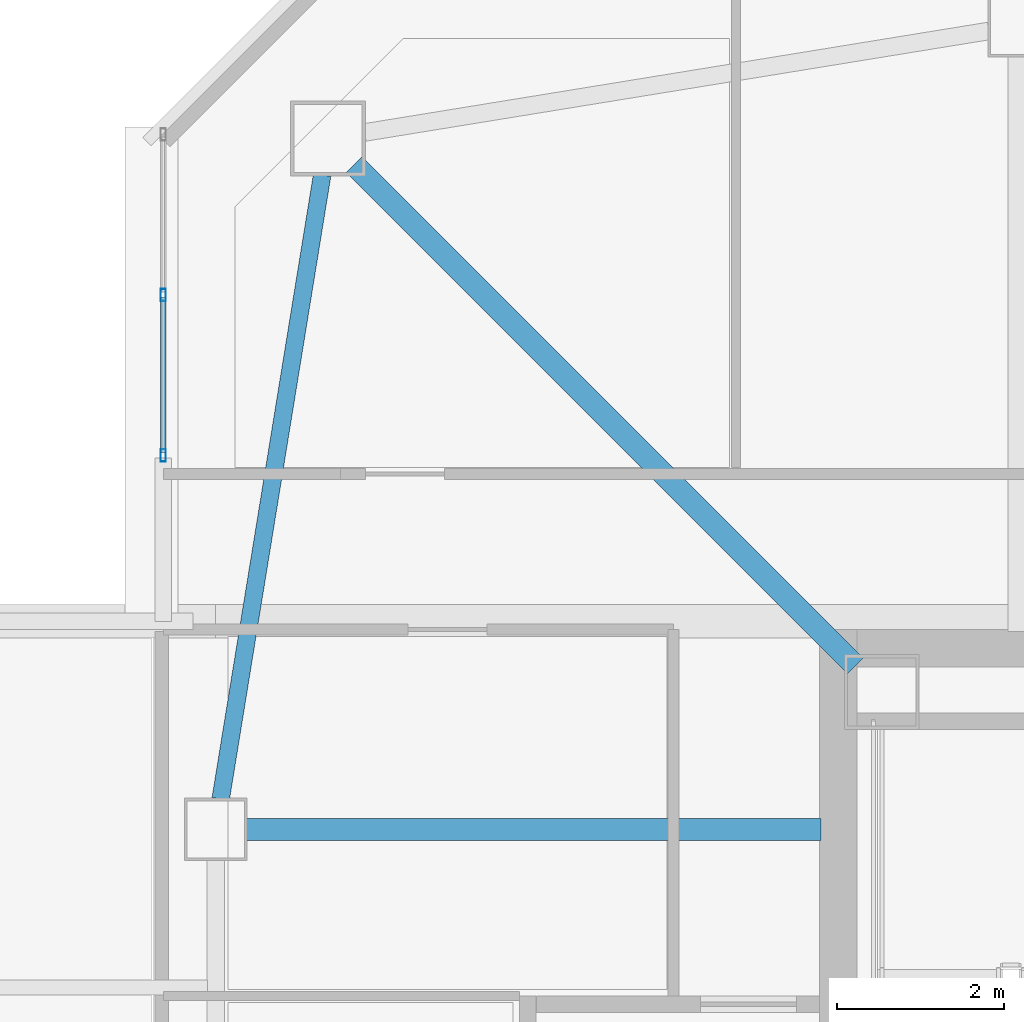
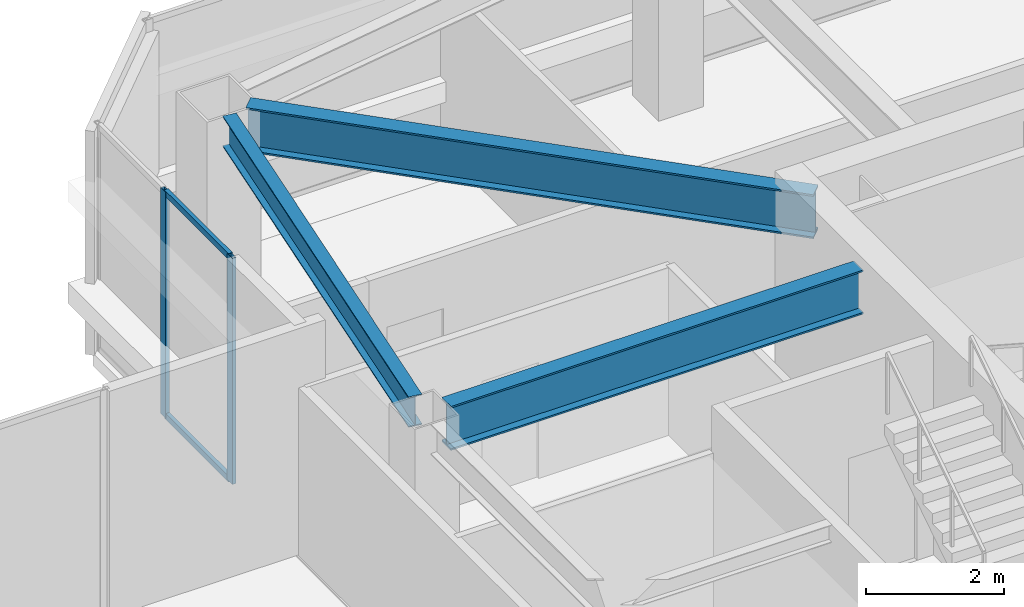
# One storey, part 8 of 51: 4 members, 3 beams, 1 element without a shape of its own.
"""IFC4 building model written with IfcOpenShell, lengths in metres."""

from ifc_helpers import new_model, si_unit, direction, frame, origin, origin_2d, place, context, subcontext, project, spatial, hollow_rectangle, i_section, extrude, material, material_profile, profile_set, type_object, element, aggregate, save


model = new_model("IFC4")

# Units and contexts
model_context = context("Model", 3, precision=1e-05, world=origin(), true_north=direction((0.0, 1.0)))
body_context = subcontext(model_context, "Body", "Model", "MODEL_VIEW")
ifc_project = project(units=[si_unit("LENGTHUNIT", "METRE"), si_unit("AREAUNIT", "SQUARE_METRE"), si_unit("VOLUMEUNIT", "CUBIC_METRE"), si_unit("PLANEANGLEUNIT", "RADIAN"), si_unit("MASSUNIT", "GRAM", prefix="KILO")], contexts=[model_context])

# Site, building, storey
site_placement = place(None, origin())
site = spatial("IfcSite", under=ifc_project, at=site_placement, CompositionType="ELEMENT")
building_placement = place(site_placement, origin())
building = spatial("IfcBuilding", under=site, at=building_placement, Name="Tashvorn Skyway Center", CompositionType="ELEMENT")
storey_placement = place(building_placement, frame((0.0, 0.0, 251.39990234375)))
storey = spatial("IfcBuildingStorey", under=building, at=storey_placement, Name="L68", CompositionType="ELEMENT", Elevation=251.39990234375)

# Beams
ifc_material_1 = material(Name="Steel ASTM A992 Grade 50", Category="steel")
ifc_material_profile_1 = material_profile(ifc_material_1, i_section(OverallWidth=0.26708984375, OverallDepth=0.779052734375, WebThickness=0.0166015625, FlangeThickness=0.030029296875, at=origin_2d()), Name="W30X148")
ifc_profile_set_1 = profile_set([ifc_material_profile_1], Name="Steel ASTM A992 Grade 50")
beam_type_1 = type_object("IfcBeamType", Name="BM-BEAM-W30X148", PredefinedType="BEAM", material=ifc_profile_set_1)
beam_1_placement = place(storey_placement, frame((28.61474609375, 45.38525390625, 3.390625), z_axis=(0.707106781187, -0.707106781187, 0.0), x_axis=(0.707106781187, 0.707106781187, 0.0)))
element("IfcBeam", 1, at=beam_1_placement, inside=storey, type_object=beam_type_1, Name="Tower 1 L68 Primary Floor Girder MC-NW", PredefinedType="BEAM", context=body_context, shape_type="SweptSolid", body=[
    extrude(i_section(OverallWidth=0.26708984375, OverallDepth=0.779052734375, WebThickness=0.0166015625, FlangeThickness=0.030029296875, at=origin_2d()), origin(), (0.0, 0.0, 1.0), 8.514404296875),
])
beam_2_placement = place(storey_placement, frame((27.320068359375, 37.39990234375, 3.390625), z_axis=(1.0, 0.0, 0.0), x_axis=(0.0, 1.0, 0.0)))
element("IfcBeam", 2, at=beam_2_placement, inside=storey, type_object=beam_type_1, Name="Tower 1 L68 Primary Floor Girder FC-W1", PredefinedType="BEAM", context=body_context, shape_type="SweptSolid", body=[
    extrude(i_section(OverallWidth=0.26708984375, OverallDepth=0.779052734375, WebThickness=0.0166015625, FlangeThickness=0.030029296875, at=origin_2d()), origin(), (0.0, 0.0, 1.0), 6.89990234375),
])
ifc_material_profile_2 = material_profile(ifc_material_1, i_section(OverallWidth=0.2109375, OverallDepth=0.5390625, WebThickness=0.01171875, FlangeThickness=0.018798828125, at=origin_2d()), Name="W21X73")
ifc_profile_set_2 = profile_set([ifc_material_profile_2], Name="Steel ASTM A992 Grade 50")
beam_type_2 = type_object("IfcBeamType", Name="BM-SPANDREL-W21X73", PredefinedType="SPANDREL", material=ifc_profile_set_2)
beam_3_placement = place(storey_placement, frame((28.228515625, 45.2607421875, 3.510498046875), z_axis=(-0.160519005885, -0.987032749583, 0.0), x_axis=(0.987032749583, -0.160519005885, 0.0)))
element("IfcBeam", 3, at=beam_3_placement, inside=storey, type_object=beam_type_2, Name="Tower 1 L68 Spandrel Beam 10", PredefinedType="SPANDREL", context=body_context, shape_type="SweptSolid", body=[
    extrude(i_section(OverallWidth=0.2109375, OverallDepth=0.5390625, WebThickness=0.01171875, FlangeThickness=0.018798828125, at=origin_2d()), origin(), (0.0, 0.0, 1.0), 7.593994140625),
])

# Curtain wall, members
ifc_material_2 = material(Name="Thermally broken bronze-anodized aluminium 6063-T6", Category="aluminium")
curtain_wall_type = type_object("IfcCurtainWallType", Name="CW-CW-SKY", PredefinedType="NOTDEFINED", material=ifc_material_2)
curtain_wall_placement = place(storey_placement, origin())
curtain_wall = element("IfcCurtainWall", 4, at=curtain_wall_placement, inside=storey, type_object=curtain_wall_type, Name="Tower 1 L68 West Curtain Wall B Glazing Group 1", PredefinedType="NOTDEFINED")
ifc_material_profile_3 = material_profile(ifc_material_2, hollow_rectangle(XDim=0.06494140625, YDim=0.14990234375, WallThickness=0.00390625, at=origin_2d()), Name="ALU-MULL-65x150")
ifc_profile_set_3 = profile_set([ifc_material_profile_3], Name="Thermally broken bronze-anodized aluminium 6063-T6")
member_type_1 = type_object("IfcMemberType", Name="CWM-CW-SKY", PredefinedType="MULLION", material=ifc_profile_set_3)
member_1_placement = place(storey_placement, frame((26.320068359375, 41.892578125, 0.0), z_axis=(0.0, 0.0, 1.0), x_axis=(-1.0, 0.0, 0.0)))
member_1 = element("IfcMember", 5, at=member_1_placement, type_object=member_type_1, Name="CW-SKY mullion 1", PredefinedType="MULLION", context=body_context, shape_type="SweptSolid", body=[
    extrude(hollow_rectangle(XDim=0.06494140625, YDim=0.14990234375, WallThickness=0.00390625, at=origin_2d()), origin(), (0.0, 0.0, 1.0), 4.0),
])
member_2_placement = place(storey_placement, frame((26.320068359375, 43.820068359375, 0.0), z_axis=(0.0, 0.0, 1.0), x_axis=(-1.0, 0.0, 0.0)))
member_2 = element("IfcMember", 6, at=member_2_placement, type_object=member_type_1, Name="CW-SKY mullion 2", PredefinedType="MULLION", context=body_context, shape_type="SweptSolid", body=[
    extrude(hollow_rectangle(XDim=0.06494140625, YDim=0.14990234375, WallThickness=0.00390625, at=origin_2d()), origin(), (0.0, 0.0, 1.0), 4.0),
])
ifc_material_profile_4 = material_profile(ifc_material_2, hollow_rectangle(XDim=0.06494140625, YDim=0.10498046875, WallThickness=0.00390625, at=origin_2d()), Name="ALU-TRAN-65x105")
ifc_profile_set_4 = profile_set([ifc_material_profile_4], Name="Thermally broken bronze-anodized aluminium 6063-T6")
member_type_2 = type_object("IfcMemberType", Name="CWT-CW-SKY", PredefinedType="USERDEFINED", material=ifc_profile_set_4)
member_3_placement = place(storey_placement, frame((26.320068359375, 41.925048828125, 0.03271484375), z_axis=(0.0, 1.0, 0.0), x_axis=(-1.0, 0.0, 0.0)))
member_3 = element("IfcMember", 7, at=member_3_placement, type_object=member_type_2, Name="CW-SKY transom 1.1", ObjectType="TRANSOM", PredefinedType="USERDEFINED", context=body_context, shape_type="SweptSolid", body=[
    extrude(hollow_rectangle(XDim=0.06494140625, YDim=0.10498046875, WallThickness=0.00390625, at=origin_2d()), origin(), (0.0, 0.0, 1.0), 1.862548828125),
])
member_4_placement = place(storey_placement, frame((26.320068359375, 41.925048828125, 3.967529296875), z_axis=(0.0, 1.0, 0.0), x_axis=(-1.0, 0.0, 0.0)))
member_4 = element("IfcMember", 8, at=member_4_placement, type_object=member_type_2, Name="CW-SKY transom 1.2", ObjectType="TRANSOM", PredefinedType="USERDEFINED", context=body_context, shape_type="SweptSolid", body=[
    extrude(hollow_rectangle(XDim=0.06494140625, YDim=0.10498046875, WallThickness=0.00390625, at=origin_2d()), origin(), (0.0, 0.0, 1.0), 1.862548828125),
])
aggregate(curtain_wall, [member_1, member_2, member_3, member_4])

save(model, "model.ifc")
